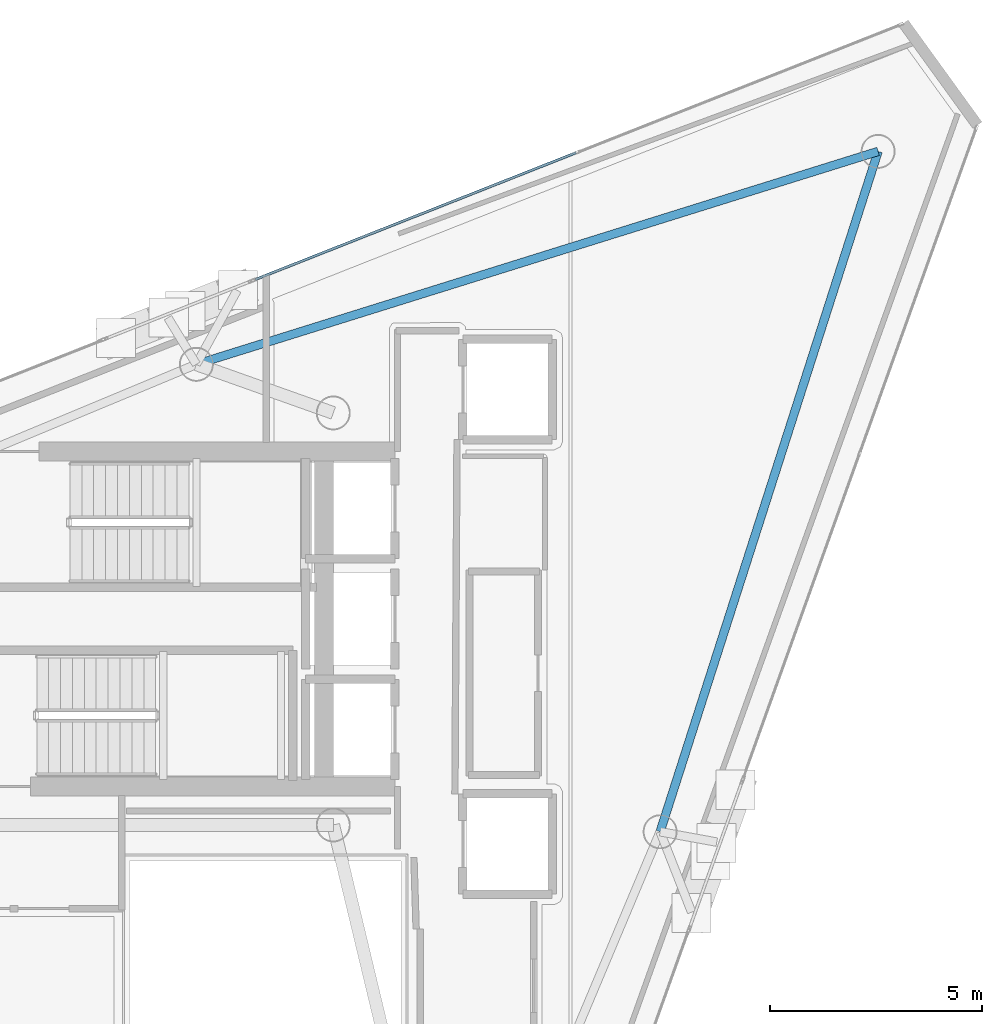
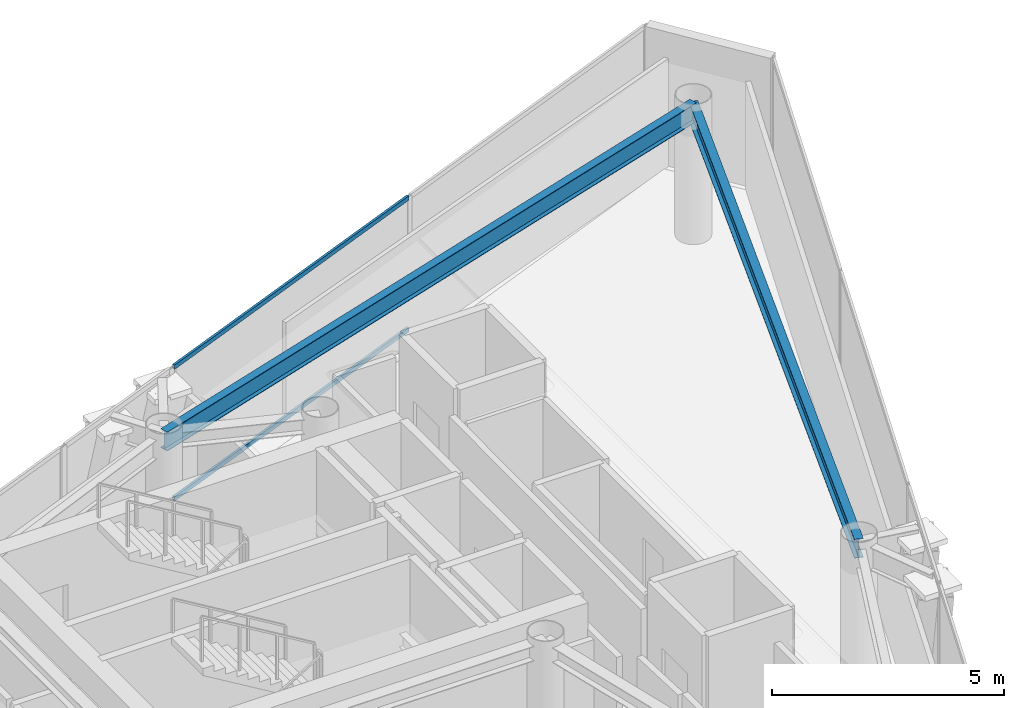
# One storey, part 13 of 19: 2 beams, 2 members, 1 element without a shape of its own.
"""IFC4 building model written with IfcOpenShell, lengths in metres."""

from ifc_helpers import new_model, si_unit, direction, frame, origin, origin_2d, place, context, subcontext, project, spatial, hollow_rectangle, i_section, extrude, material, layer, layer_set, material_profile, profile_set, type_object, element, aggregate, save


model = new_model("IFC4")

# Units and contexts
model_context = context("Model", 3, precision=1e-05, world=origin(), true_north=direction((0.0, 1.0)))
body_context = subcontext(model_context, "Body", "Model", "MODEL_VIEW")
ifc_project = project(units=[si_unit("LENGTHUNIT", "METRE"), si_unit("AREAUNIT", "SQUARE_METRE"), si_unit("VOLUMEUNIT", "CUBIC_METRE"), si_unit("PLANEANGLEUNIT", "RADIAN"), si_unit("MASSUNIT", "GRAM", prefix="KILO")], contexts=[model_context])

# Site, building, storey
site_placement = place(None, origin())
site = spatial("IfcSite", under=ifc_project, at=site_placement, CompositionType="ELEMENT")
building_placement = place(site_placement, origin())
building = spatial("IfcBuilding", under=site, at=building_placement, Name="Qianvela Tower", CompositionType="ELEMENT")
storey_placement = place(building_placement, frame((0.0, 0.0, 344.39990234375)))
storey = spatial("IfcBuildingStorey", under=building, at=storey_placement, Name="L89", CompositionType="ELEMENT", Elevation=344.39990234375)

# Beams
ifc_material_1 = material(Name="Steel Q355B", Category="steel")
ifc_material_profile_1 = material_profile(ifc_material_1, i_section(OverallWidth=0.199951171875, OverallDepth=0.5, WebThickness=0.010009765625, FlangeThickness=0.01611328125, at=origin_2d()), Name="HN500x200x10x16")
ifc_profile_set_1 = profile_set([ifc_material_profile_1], Name="Steel Q355B")
beam_type = type_object("IfcBeamType", Name="BM-HN500-GIRD", PredefinedType="BEAM", material=ifc_profile_set_1)
beam_1_placement = place(storey_placement, frame((51.22705078125, 39.7080078125, 3.26806640625), z_axis=(-0.954525695456, -0.298128657988, 0.0), x_axis=(0.298128657988, -0.954525695456, 0.0)))
element("IfcBeam", 1, at=beam_1_placement, inside=storey, type_object=beam_type, Name="L89 Perimeter Ring Spandrel Girder 1", PredefinedType="BEAM", context=body_context, shape_type="SweptSolid", body=[
    extrude(i_section(OverallWidth=0.199951171875, OverallDepth=0.5, WebThickness=0.010009765625, FlangeThickness=0.01611328125, at=origin_2d()), origin(), (0.0, 0.0, 1.0), 16.814697265625),
])
beam_2_placement = place(storey_placement, frame((46.094970703125, 23.69091796875, 3.26806640625), z_axis=(0.305132275277, 0.952309978203, 0.0), x_axis=(-0.952309978203, 0.305132275277, 0.0)))
element("IfcBeam", 2, at=beam_2_placement, inside=storey, type_object=beam_type, Name="L89 Perimeter Ring Spandrel Girder 6", PredefinedType="BEAM", context=body_context, shape_type="SweptSolid", body=[
    extrude(i_section(OverallWidth=0.199951171875, OverallDepth=0.5, WebThickness=0.010009765625, FlangeThickness=0.01611328125, at=origin_2d()), origin(), (0.0, 0.0, 1.0), 16.819091796875),
])

# Curtain wall, members
ifc_material_2 = material(Name="Anodised Architectural Aluminium and Low-E Glass", Category="aluminium")
ifc_layer = layer(ifc_material_2, 0.14990234375)
ifc_layer_set = layer_set([ifc_layer], Name="Anodised Architectural Aluminium and Low-E Glass")
curtain_wall_type = type_object("IfcCurtainWallType", Name="CW-COLIV-Z78", PredefinedType="USERDEFINED", material=ifc_layer_set)
curtain_wall_placement = place(storey_placement, origin())
curtain_wall = element("IfcCurtainWall", 3, at=curtain_wall_placement, inside=storey, type_object=curtain_wall_type, Name="L89 CW-COLIV-Z78 Curtain Wall 02A", ObjectType="CURTAIN_WALL_SYSTEM", PredefinedType="USERDEFINED")
ifc_material_3 = material(Name="Anodised Architectural Aluminium 6063-T6", Category="aluminium")
ifc_material_profile_2 = material_profile(ifc_material_3, hollow_rectangle(XDim=0.06005859375, YDim=0.114990234375, WallThickness=0.00390625, at=origin_2d()), Name="ALU-TRAN-60x115")
ifc_profile_set_2 = profile_set([ifc_material_profile_2], Name="Anodised Architectural Aluminium 6063-T6")
member_type = type_object("IfcMemberType", Name="CW-COLIV-Z78-TRAN", PredefinedType="USERDEFINED", material=ifc_profile_set_2)
member_1_placement = place(storey_placement, frame((44.118408203125, 39.677490234375, 0.030029296875), z_axis=(-0.929986776405, -0.367592975601, 0.0), x_axis=(0.367592975601, -0.929986776405, 0.0)))
member_1 = element("IfcMember", 4, at=member_1_placement, type_object=member_type, Name="CW-6 transom 2.1", ObjectType="TRANSOM", PredefinedType="USERDEFINED", context=body_context, shape_type="SweptSolid", body=[
    extrude(hollow_rectangle(XDim=0.06005859375, YDim=0.114990234375, WallThickness=0.00390625, at=origin_2d()), origin(), (0.0, 0.0, 1.0), 8.1201171875),
])
member_2_placement = place(storey_placement, frame((44.118408203125, 39.677490234375, 3.489990234375), z_axis=(-0.929986776405, -0.367592975601, 0.0), x_axis=(0.367592975601, -0.929986776405, 0.0)))
member_2 = element("IfcMember", 5, at=member_2_placement, type_object=member_type, Name="CW-6 transom 2.2", ObjectType="TRANSOM", PredefinedType="USERDEFINED", context=body_context, shape_type="SweptSolid", body=[
    extrude(hollow_rectangle(XDim=0.06005859375, YDim=0.114990234375, WallThickness=0.00390625, at=origin_2d()), origin(), (0.0, 0.0, 1.0), 8.1201171875),
])
aggregate(curtain_wall, [member_1, member_2])

save(model, "model.ifc")
